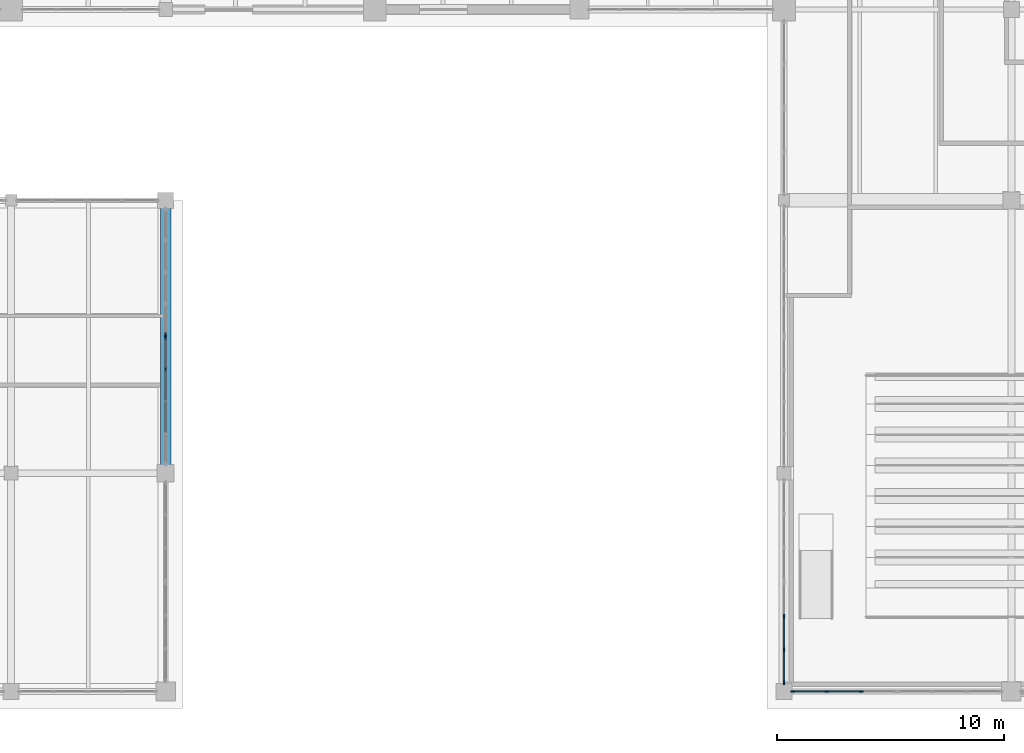
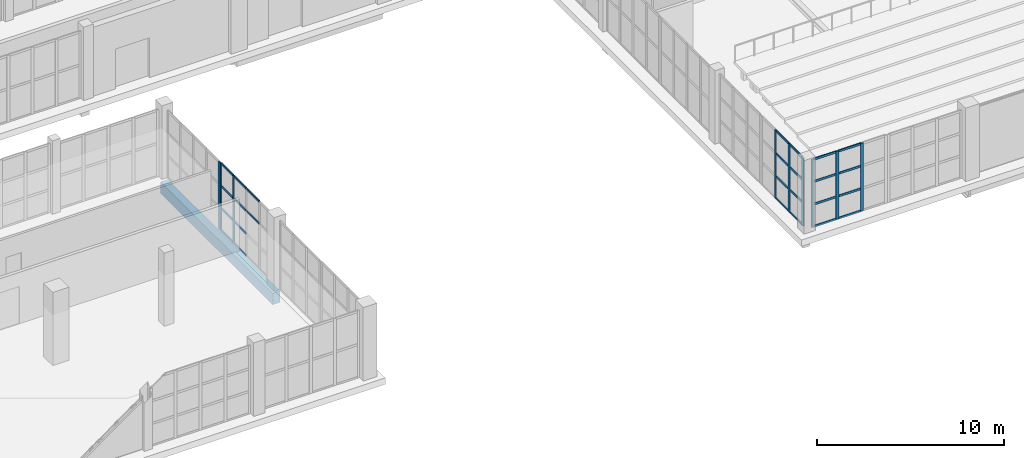
# One storey, part 47 of 121: 35 members, 1 beam, 4 elements without a shape of their own.
"""IFC4 building model written with IfcOpenShell, lengths in metres."""

from ifc_helpers import new_model, si_unit, direction, frame, origin, origin_2d, place, context, subcontext, project, spatial, rectangle, extrude, material, layer, layer_set, material_profile, profile_set, type_object, element, aggregate, save


model = new_model("IFC4")

# Units and contexts
model_context = context("Model", 3, precision=1e-05, world=origin(), true_north=direction((0.0, 1.0)))
body_context = subcontext(model_context, "Body", "Model", "MODEL_VIEW")
ifc_project = project(units=[si_unit("LENGTHUNIT", "METRE"), si_unit("AREAUNIT", "SQUARE_METRE"), si_unit("VOLUMEUNIT", "CUBIC_METRE"), si_unit("PLANEANGLEUNIT", "RADIAN"), si_unit("MASSUNIT", "GRAM", prefix="KILO")], contexts=[model_context])

# Site, building, storey
site_placement = place(None, origin())
site = spatial("IfcSite", under=ifc_project, at=site_placement, CompositionType="ELEMENT")
building_placement = place(site_placement, origin())
building = spatial("IfcBuilding", under=site, at=building_placement, Name="Zereglee Splitstone Museum", CompositionType="ELEMENT")
storey_placement = place(building_placement, origin())
storey = spatial("IfcBuildingStorey", under=building, at=storey_placement, Name="L00", CompositionType="ELEMENT", Elevation=0.0)

# Curtain wall, members
ifc_material_1 = material(Name="Triple-glazed low-E argon glass and bronze-anodised aluminium", Category="aluminium")
ifc_layer_1 = layer(ifc_material_1, 0.179931640625)
ifc_layer_set_1 = layer_set([ifc_layer_1], Name="Triple-glazed low-E argon glass and bronze-anodised aluminium")
curtain_wall_type_1 = type_object("IfcCurtainWallType", Name="CW-0559-444", PredefinedType="USERDEFINED", material=ifc_layer_set_1)
curtain_wall_1_placement = place(storey_placement, origin())
curtain_wall_1 = element("IfcCurtainWall", 1, at=curtain_wall_1_placement, inside=storey, type_object=curtain_wall_type_1, Name="Glazed Curtain Wall CW-0559-444 (L00)", ObjectType="GLAZED CURTAIN WALL", PredefinedType="USERDEFINED")
ifc_material_2 = material(Name="Thermally broken bronze-anodised aluminium", Category="aluminium")
ifc_material_profile_1 = material_profile(ifc_material_2, rectangle(XDim=0.06494140625, YDim=0.179931640625, at=origin_2d()), Name="CW MULL 65x180")
ifc_profile_set_1 = profile_set([ifc_material_profile_1], Name="Thermally broken bronze-anodised aluminium")
member_type_1 = type_object("IfcMemberType", Name="CWM-01", PredefinedType="MULLION", material=ifc_profile_set_1)
member_1_placement = place(storey_placement, frame((228.800048828125, 14.175048828125, 0.0), z_axis=(0.0, 0.0, 1.0), x_axis=(-1.0, 0.0, 0.0)))
member_1 = element("IfcMember", 2, at=member_1_placement, type_object=member_type_1, Name="CW-0559-444 mullion 4", PredefinedType="MULLION", context=body_context, shape_type="SweptSolid", body=[
    extrude(rectangle(XDim=0.06494140625, YDim=0.179931640625, at=origin_2d()), origin(), (0.0, 0.0, 1.0), 4.43994140625),
])
member_2_placement = place(storey_placement, frame((228.800048828125, 15.5400390625, 0.0), z_axis=(0.0, 0.0, 1.0), x_axis=(-1.0, 0.0, 0.0)))
member_2 = element("IfcMember", 3, at=member_2_placement, type_object=member_type_1, Name="CW-0559-444 mullion 5", PredefinedType="MULLION", context=body_context, shape_type="SweptSolid", body=[
    extrude(rectangle(XDim=0.06494140625, YDim=0.179931640625, at=origin_2d()), origin(), (0.0, 0.0, 1.0), 4.43994140625),
])

# Curtain wall, member
ifc_layer_2 = layer(ifc_material_1, 0.179931640625)
ifc_layer_set_2 = layer_set([ifc_layer_2], Name="Triple-glazed low-E argon glass and bronze-anodised aluminium")
curtain_wall_type_2 = type_object("IfcCurtainWallType", Name="CW-0559-442", PredefinedType="USERDEFINED", material=ifc_layer_set_2)
curtain_wall_2_placement = place(storey_placement, origin())
curtain_wall_2 = element("IfcCurtainWall", 4, at=curtain_wall_2_placement, inside=storey, type_object=curtain_wall_type_2, Name="Glazed Curtain Wall CW-0559-442 (L00)", ObjectType="GLAZED CURTAIN WALL", PredefinedType="USERDEFINED")
member_3_placement = place(storey_placement, frame((228.800048828125, 15.68505859375, 0.0), z_axis=(0.0, 0.0, 1.0), x_axis=(-1.0, 0.0, 0.0)))
member_3 = element("IfcMember", 5, at=member_3_placement, type_object=member_type_1, Name="CW-0559-442 mullion 1", PredefinedType="MULLION", context=body_context, shape_type="SweptSolid", body=[
    extrude(rectangle(XDim=0.06494140625, YDim=0.179931640625, at=origin_2d()), origin(), (0.0, 0.0, 1.0), 4.419921875),
])
aggregate(curtain_wall_2, [member_3])

# Curtain wall, members
ifc_layer_3 = layer(ifc_material_1, 0.179931640625)
ifc_layer_set_3 = layer_set([ifc_layer_3], Name="Triple-glazed low-E argon glass and bronze-anodised aluminium")
curtain_wall_type_3 = type_object("IfcCurtainWallType", Name="CW-0443-448", PredefinedType="USERDEFINED", material=ifc_layer_set_3)
curtain_wall_3_placement = place(storey_placement, origin())
curtain_wall_3 = element("IfcCurtainWall", 6, at=curtain_wall_3_placement, inside=storey, type_object=curtain_wall_type_3, Name="Glazed Curtain Wall CW-0443-448 (L00)", ObjectType="GLAZED CURTAIN WALL", PredefinedType="USERDEFINED")
member_4_placement = place(storey_placement, frame((256.0, 3.309326171875, 0.0), z_axis=(0.0, 0.0, 1.0), x_axis=(1.0, 0.0, 0.0)))
member_4 = element("IfcMember", 7, at=member_4_placement, type_object=member_type_1, Name="CW-0443-448 mullion 2", PredefinedType="MULLION", context=body_context, shape_type="SweptSolid", body=[
    extrude(rectangle(XDim=0.06494140625, YDim=0.179931640625, at=origin_2d()), origin(), (0.0, 0.0, 1.0), 4.47998046875),
])
member_5_placement = place(storey_placement, frame((256.0, 1.833740234375, 0.0), z_axis=(0.0, 0.0, 1.0), x_axis=(1.0, 0.0, 0.0)))
member_5 = element("IfcMember", 8, at=member_5_placement, type_object=member_type_1, Name="CW-0443-448 mullion 3", PredefinedType="MULLION", context=body_context, shape_type="SweptSolid", body=[
    extrude(rectangle(XDim=0.06494140625, YDim=0.179931640625, at=origin_2d()), origin(), (0.0, 0.0, 1.0), 4.47998046875),
])
member_6_placement = place(storey_placement, frame((256.0, 0.390380859375, 0.0), z_axis=(0.0, 0.0, 1.0), x_axis=(1.0, 0.0, 0.0)))
member_6 = element("IfcMember", 9, at=member_6_placement, type_object=member_type_1, Name="CW-0443-448 mullion 4", PredefinedType="MULLION", context=body_context, shape_type="SweptSolid", body=[
    extrude(rectangle(XDim=0.06494140625, YDim=0.179931640625, at=origin_2d()), origin(), (0.0, 0.0, 1.0), 4.47998046875),
])

ifc_layer_4 = layer(ifc_material_1, 0.179931640625)
ifc_layer_set_4 = layer_set([ifc_layer_4], Name="Triple-glazed low-E argon glass and bronze-anodised aluminium")
curtain_wall_type_4 = type_object("IfcCurtainWallType", Name="CW-0456-444", PredefinedType="USERDEFINED", material=ifc_layer_set_4)
curtain_wall_4_placement = place(storey_placement, origin())
curtain_wall_4 = element("IfcCurtainWall", 10, at=curtain_wall_4_placement, inside=storey, type_object=curtain_wall_type_4, Name="Glazed Curtain Wall CW-0456-444 (L00)", ObjectType="GLAZED CURTAIN WALL", PredefinedType="USERDEFINED")
member_7_placement = place(storey_placement, frame((256.390380859375, 0.0, 0.0), z_axis=(0.0, 0.0, 1.0), x_axis=(0.0, 1.0, 0.0)))
member_7 = element("IfcMember", 11, at=member_7_placement, type_object=member_type_1, Name="CW-0456-444 mullion 1", PredefinedType="MULLION", context=body_context, shape_type="SweptSolid", body=[
    extrude(rectangle(XDim=0.06494140625, YDim=0.179931640625, at=origin_2d()), origin(), (0.0, 0.0, 1.0), 4.43994140625),
])
member_8_placement = place(storey_placement, frame((257.87939453125, 0.0, 0.0), z_axis=(0.0, 0.0, 1.0), x_axis=(0.0, 1.0, 0.0)))
member_8 = element("IfcMember", 12, at=member_8_placement, type_object=member_type_1, Name="CW-0456-444 mullion 2", PredefinedType="MULLION", context=body_context, shape_type="SweptSolid", body=[
    extrude(rectangle(XDim=0.06494140625, YDim=0.179931640625, at=origin_2d()), origin(), (0.0, 0.0, 1.0), 4.43994140625),
])
member_9_placement = place(storey_placement, frame((259.40087890625, 0.0, 0.0), z_axis=(0.0, 0.0, 1.0), x_axis=(0.0, 1.0, 0.0)))
member_9 = element("IfcMember", 13, at=member_9_placement, type_object=member_type_1, Name="CW-0456-444 mullion 3", PredefinedType="MULLION", context=body_context, shape_type="SweptSolid", body=[
    extrude(rectangle(XDim=0.06494140625, YDim=0.179931640625, at=origin_2d()), origin(), (0.0, 0.0, 1.0), 4.43994140625),
])

# Member
ifc_material_profile_2 = material_profile(ifc_material_2, rectangle(XDim=0.06494140625, YDim=0.139892578125, at=origin_2d()), Name="CW TRAN 65x140")
ifc_profile_set_2 = profile_set([ifc_material_profile_2], Name="Thermally broken bronze-anodised aluminium")
member_type_2 = type_object("IfcMemberType", Name="CWT-01", PredefinedType="USERDEFINED", material=ifc_profile_set_2)
member_10_placement = place(storey_placement, frame((228.800048828125, 11.412841796875, 2.9599609375), z_axis=(0.0, 1.0, 0.0), x_axis=(-1.0, 0.0, 0.0)))
member_10 = element("IfcMember", 14, at=member_10_placement, type_object=member_type_2, Name="CW-0559-444 transom 2.3", ObjectType="TRANSOM", PredefinedType="USERDEFINED", context=body_context, shape_type="SweptSolid", body=[
    extrude(rectangle(XDim=0.06494140625, YDim=0.139892578125, at=origin_2d()), origin(), (0.0, 0.0, 1.0), 1.33251953125),
])

member_11_placement = place(storey_placement, frame((228.800048828125, 11.412841796875, 4.407470703125), z_axis=(0.0, 1.0, 0.0), x_axis=(-1.0, 0.0, 0.0)))
member_11 = element("IfcMember", 15, at=member_11_placement, type_object=member_type_2, Name="CW-0559-444 transom 2.4", ObjectType="TRANSOM", PredefinedType="USERDEFINED", context=body_context, shape_type="SweptSolid", body=[
    extrude(rectangle(XDim=0.06494140625, YDim=0.139892578125, at=origin_2d()), origin(), (0.0, 0.0, 1.0), 1.33251953125),
])

member_12_placement = place(storey_placement, frame((228.800048828125, 12.810302734375, 0.032470703125), z_axis=(0.0, 1.0, 0.0), x_axis=(-1.0, 0.0, 0.0)))
member_12 = element("IfcMember", 16, at=member_12_placement, type_object=member_type_2, Name="CW-0559-444 transom 3.1", ObjectType="TRANSOM", PredefinedType="USERDEFINED", context=body_context, shape_type="SweptSolid", body=[
    extrude(rectangle(XDim=0.06494140625, YDim=0.139892578125, at=origin_2d()), origin(), (0.0, 0.0, 1.0), 1.332275390625),
])

member_13_placement = place(storey_placement, frame((228.800048828125, 12.810302734375, 1.47998046875), z_axis=(0.0, 1.0, 0.0), x_axis=(-1.0, 0.0, 0.0)))
member_13 = element("IfcMember", 17, at=member_13_placement, type_object=member_type_2, Name="CW-0559-444 transom 3.2", ObjectType="TRANSOM", PredefinedType="USERDEFINED", context=body_context, shape_type="SweptSolid", body=[
    extrude(rectangle(XDim=0.06494140625, YDim=0.139892578125, at=origin_2d()), origin(), (0.0, 0.0, 1.0), 1.332275390625),
])

member_14_placement = place(storey_placement, frame((228.800048828125, 12.810302734375, 2.9599609375), z_axis=(0.0, 1.0, 0.0), x_axis=(-1.0, 0.0, 0.0)))
member_14 = element("IfcMember", 18, at=member_14_placement, type_object=member_type_2, Name="CW-0559-444 transom 3.3", ObjectType="TRANSOM", PredefinedType="USERDEFINED", context=body_context, shape_type="SweptSolid", body=[
    extrude(rectangle(XDim=0.06494140625, YDim=0.139892578125, at=origin_2d()), origin(), (0.0, 0.0, 1.0), 1.332275390625),
])

member_15_placement = place(storey_placement, frame((228.800048828125, 12.810302734375, 4.407470703125), z_axis=(0.0, 1.0, 0.0), x_axis=(-1.0, 0.0, 0.0)))
member_15 = element("IfcMember", 19, at=member_15_placement, type_object=member_type_2, Name="CW-0559-444 transom 3.4", ObjectType="TRANSOM", PredefinedType="USERDEFINED", context=body_context, shape_type="SweptSolid", body=[
    extrude(rectangle(XDim=0.06494140625, YDim=0.139892578125, at=origin_2d()), origin(), (0.0, 0.0, 1.0), 1.332275390625),
])

member_16_placement = place(storey_placement, frame((228.800048828125, 14.20751953125, 0.032470703125), z_axis=(0.0, 1.0, 0.0), x_axis=(-1.0, 0.0, 0.0)))
member_16 = element("IfcMember", 20, at=member_16_placement, type_object=member_type_2, Name="CW-0559-444 transom 4.1", ObjectType="TRANSOM", PredefinedType="USERDEFINED", context=body_context, shape_type="SweptSolid", body=[
    extrude(rectangle(XDim=0.06494140625, YDim=0.139892578125, at=origin_2d()), origin(), (0.0, 0.0, 1.0), 1.300048828125),
])

member_17_placement = place(storey_placement, frame((228.800048828125, 14.20751953125, 1.47998046875), z_axis=(0.0, 1.0, 0.0), x_axis=(-1.0, 0.0, 0.0)))
member_17 = element("IfcMember", 21, at=member_17_placement, type_object=member_type_2, Name="CW-0559-444 transom 4.2", ObjectType="TRANSOM", PredefinedType="USERDEFINED", context=body_context, shape_type="SweptSolid", body=[
    extrude(rectangle(XDim=0.06494140625, YDim=0.139892578125, at=origin_2d()), origin(), (0.0, 0.0, 1.0), 1.300048828125),
])

member_18_placement = place(storey_placement, frame((228.800048828125, 14.20751953125, 2.9599609375), z_axis=(0.0, 1.0, 0.0), x_axis=(-1.0, 0.0, 0.0)))
member_18 = element("IfcMember", 22, at=member_18_placement, type_object=member_type_2, Name="CW-0559-444 transom 4.3", ObjectType="TRANSOM", PredefinedType="USERDEFINED", context=body_context, shape_type="SweptSolid", body=[
    extrude(rectangle(XDim=0.06494140625, YDim=0.139892578125, at=origin_2d()), origin(), (0.0, 0.0, 1.0), 1.300048828125),
])

member_19_placement = place(storey_placement, frame((228.800048828125, 14.20751953125, 4.407470703125), z_axis=(0.0, 1.0, 0.0), x_axis=(-1.0, 0.0, 0.0)))
member_19 = element("IfcMember", 23, at=member_19_placement, type_object=member_type_2, Name="CW-0559-444 transom 4.4", ObjectType="TRANSOM", PredefinedType="USERDEFINED", context=body_context, shape_type="SweptSolid", body=[
    extrude(rectangle(XDim=0.06494140625, YDim=0.139892578125, at=origin_2d()), origin(), (0.0, 0.0, 1.0), 1.300048828125),
])

aggregate(curtain_wall_1, [member_1, member_2, member_10, member_11, member_12, member_13, member_14, member_15, member_16, member_17, member_18, member_19])

member_20_placement = place(storey_placement, frame((256.0, 3.27685546875, 0.032470703125), z_axis=(0.0, -1.0, 0.0), x_axis=(1.0, 0.0, 0.0)))
member_20 = element("IfcMember", 24, at=member_20_placement, type_object=member_type_2, Name="CW-0443-448 transom 2.1", ObjectType="TRANSOM", PredefinedType="USERDEFINED", context=body_context, shape_type="SweptSolid", body=[
    extrude(rectangle(XDim=0.06494140625, YDim=0.139892578125, at=origin_2d()), origin(), (0.0, 0.0, 1.0), 1.41064453125),
])

member_21_placement = place(storey_placement, frame((256.0, 3.27685546875, 1.493408203125), z_axis=(0.0, -1.0, 0.0), x_axis=(1.0, 0.0, 0.0)))
member_21 = element("IfcMember", 25, at=member_21_placement, type_object=member_type_2, Name="CW-0443-448 transom 2.2", ObjectType="TRANSOM", PredefinedType="USERDEFINED", context=body_context, shape_type="SweptSolid", body=[
    extrude(rectangle(XDim=0.06494140625, YDim=0.139892578125, at=origin_2d()), origin(), (0.0, 0.0, 1.0), 1.41064453125),
])

member_22_placement = place(storey_placement, frame((256.0, 3.27685546875, 2.98681640625), z_axis=(0.0, -1.0, 0.0), x_axis=(1.0, 0.0, 0.0)))
member_22 = element("IfcMember", 26, at=member_22_placement, type_object=member_type_2, Name="CW-0443-448 transom 2.3", ObjectType="TRANSOM", PredefinedType="USERDEFINED", context=body_context, shape_type="SweptSolid", body=[
    extrude(rectangle(XDim=0.06494140625, YDim=0.139892578125, at=origin_2d()), origin(), (0.0, 0.0, 1.0), 1.41064453125),
])

member_23_placement = place(storey_placement, frame((256.0, 3.27685546875, 4.447509765625), z_axis=(0.0, -1.0, 0.0), x_axis=(1.0, 0.0, 0.0)))
member_23 = element("IfcMember", 27, at=member_23_placement, type_object=member_type_2, Name="CW-0443-448 transom 2.4", ObjectType="TRANSOM", PredefinedType="USERDEFINED", context=body_context, shape_type="SweptSolid", body=[
    extrude(rectangle(XDim=0.06494140625, YDim=0.139892578125, at=origin_2d()), origin(), (0.0, 0.0, 1.0), 1.41064453125),
])

member_24_placement = place(storey_placement, frame((256.0, 1.80126953125, 0.032470703125), z_axis=(0.0, -1.0, 0.0), x_axis=(1.0, 0.0, 0.0)))
member_24 = element("IfcMember", 28, at=member_24_placement, type_object=member_type_2, Name="CW-0443-448 transom 3.1", ObjectType="TRANSOM", PredefinedType="USERDEFINED", context=body_context, shape_type="SweptSolid", body=[
    extrude(rectangle(XDim=0.06494140625, YDim=0.139892578125, at=origin_2d()), origin(), (0.0, 0.0, 1.0), 1.378173828125),
])

member_25_placement = place(storey_placement, frame((256.0, 1.80126953125, 1.493408203125), z_axis=(0.0, -1.0, 0.0), x_axis=(1.0, 0.0, 0.0)))
member_25 = element("IfcMember", 29, at=member_25_placement, type_object=member_type_2, Name="CW-0443-448 transom 3.2", ObjectType="TRANSOM", PredefinedType="USERDEFINED", context=body_context, shape_type="SweptSolid", body=[
    extrude(rectangle(XDim=0.06494140625, YDim=0.139892578125, at=origin_2d()), origin(), (0.0, 0.0, 1.0), 1.378173828125),
])

member_26_placement = place(storey_placement, frame((256.0, 1.80126953125, 2.98681640625), z_axis=(0.0, -1.0, 0.0), x_axis=(1.0, 0.0, 0.0)))
member_26 = element("IfcMember", 30, at=member_26_placement, type_object=member_type_2, Name="CW-0443-448 transom 3.3", ObjectType="TRANSOM", PredefinedType="USERDEFINED", context=body_context, shape_type="SweptSolid", body=[
    extrude(rectangle(XDim=0.06494140625, YDim=0.139892578125, at=origin_2d()), origin(), (0.0, 0.0, 1.0), 1.378173828125),
])

member_27_placement = place(storey_placement, frame((256.0, 1.80126953125, 4.447509765625), z_axis=(0.0, -1.0, 0.0), x_axis=(1.0, 0.0, 0.0)))
member_27 = element("IfcMember", 31, at=member_27_placement, type_object=member_type_2, Name="CW-0443-448 transom 3.4", ObjectType="TRANSOM", PredefinedType="USERDEFINED", context=body_context, shape_type="SweptSolid", body=[
    extrude(rectangle(XDim=0.06494140625, YDim=0.139892578125, at=origin_2d()), origin(), (0.0, 0.0, 1.0), 1.378173828125),
])

aggregate(curtain_wall_3, [member_4, member_5, member_6, member_20, member_21, member_22, member_23, member_24, member_25, member_26, member_27])

member_28_placement = place(storey_placement, frame((256.423095703125, 0.0, 0.032470703125), z_axis=(1.0, 0.0, 0.0), x_axis=(0.0, 1.0, 0.0)))
member_28 = element("IfcMember", 32, at=member_28_placement, type_object=member_type_2, Name="CW-0456-444 transom 1.1", ObjectType="TRANSOM", PredefinedType="USERDEFINED", context=body_context, shape_type="SweptSolid", body=[
    extrude(rectangle(XDim=0.06494140625, YDim=0.139892578125, at=origin_2d()), origin(), (0.0, 0.0, 1.0), 1.423828125),
])

member_29_placement = place(storey_placement, frame((256.423095703125, 0.0, 1.47998046875), z_axis=(1.0, 0.0, 0.0), x_axis=(0.0, 1.0, 0.0)))
member_29 = element("IfcMember", 33, at=member_29_placement, type_object=member_type_2, Name="CW-0456-444 transom 1.2", ObjectType="TRANSOM", PredefinedType="USERDEFINED", context=body_context, shape_type="SweptSolid", body=[
    extrude(rectangle(XDim=0.06494140625, YDim=0.139892578125, at=origin_2d()), origin(), (0.0, 0.0, 1.0), 1.423828125),
])

member_30_placement = place(storey_placement, frame((256.423095703125, 0.0, 2.9599609375), z_axis=(1.0, 0.0, 0.0), x_axis=(0.0, 1.0, 0.0)))
member_30 = element("IfcMember", 34, at=member_30_placement, type_object=member_type_2, Name="CW-0456-444 transom 1.3", ObjectType="TRANSOM", PredefinedType="USERDEFINED", context=body_context, shape_type="SweptSolid", body=[
    extrude(rectangle(XDim=0.06494140625, YDim=0.139892578125, at=origin_2d()), origin(), (0.0, 0.0, 1.0), 1.423828125),
])

member_31_placement = place(storey_placement, frame((256.423095703125, 0.0, 4.407470703125), z_axis=(1.0, 0.0, 0.0), x_axis=(0.0, 1.0, 0.0)))
member_31 = element("IfcMember", 35, at=member_31_placement, type_object=member_type_2, Name="CW-0456-444 transom 1.4", ObjectType="TRANSOM", PredefinedType="USERDEFINED", context=body_context, shape_type="SweptSolid", body=[
    extrude(rectangle(XDim=0.06494140625, YDim=0.139892578125, at=origin_2d()), origin(), (0.0, 0.0, 1.0), 1.423828125),
])

member_32_placement = place(storey_placement, frame((257.912109375, 0.0, 0.032470703125), z_axis=(1.0, 0.0, 0.0), x_axis=(0.0, 1.0, 0.0)))
member_32 = element("IfcMember", 36, at=member_32_placement, type_object=member_type_2, Name="CW-0456-444 transom 2.1", ObjectType="TRANSOM", PredefinedType="USERDEFINED", context=body_context, shape_type="SweptSolid", body=[
    extrude(rectangle(XDim=0.06494140625, YDim=0.139892578125, at=origin_2d()), origin(), (0.0, 0.0, 1.0), 1.456298828125),
])

member_33_placement = place(storey_placement, frame((257.912109375, 0.0, 1.47998046875), z_axis=(1.0, 0.0, 0.0), x_axis=(0.0, 1.0, 0.0)))
member_33 = element("IfcMember", 37, at=member_33_placement, type_object=member_type_2, Name="CW-0456-444 transom 2.2", ObjectType="TRANSOM", PredefinedType="USERDEFINED", context=body_context, shape_type="SweptSolid", body=[
    extrude(rectangle(XDim=0.06494140625, YDim=0.139892578125, at=origin_2d()), origin(), (0.0, 0.0, 1.0), 1.456298828125),
])

member_34_placement = place(storey_placement, frame((257.912109375, 0.0, 2.9599609375), z_axis=(1.0, 0.0, 0.0), x_axis=(0.0, 1.0, 0.0)))
member_34 = element("IfcMember", 38, at=member_34_placement, type_object=member_type_2, Name="CW-0456-444 transom 2.3", ObjectType="TRANSOM", PredefinedType="USERDEFINED", context=body_context, shape_type="SweptSolid", body=[
    extrude(rectangle(XDim=0.06494140625, YDim=0.139892578125, at=origin_2d()), origin(), (0.0, 0.0, 1.0), 1.456298828125),
])

member_35_placement = place(storey_placement, frame((257.912109375, 0.0, 4.407470703125), z_axis=(1.0, 0.0, 0.0), x_axis=(0.0, 1.0, 0.0)))
member_35 = element("IfcMember", 39, at=member_35_placement, type_object=member_type_2, Name="CW-0456-444 transom 2.4", ObjectType="TRANSOM", PredefinedType="USERDEFINED", context=body_context, shape_type="SweptSolid", body=[
    extrude(rectangle(XDim=0.06494140625, YDim=0.139892578125, at=origin_2d()), origin(), (0.0, 0.0, 1.0), 1.456298828125),
])

aggregate(curtain_wall_4, [member_7, member_8, member_9, member_28, member_29, member_30, member_31, member_32, member_33, member_34, member_35])

# Beam
ifc_material_3 = material(Name="Concrete C40/50", Category="concrete")
ifc_material_profile_3 = material_profile(ifc_material_3, rectangle(XDim=0.449951171875, YDim=0.75, at=origin_2d()), Name="RC 450x750")
ifc_profile_set_3 = profile_set([ifc_material_profile_3], Name="Concrete C40/50")
beam_type = type_object("IfcBeamType", Name="SP-01", PredefinedType="SPANDREL", material=ifc_profile_set_3)
beam_placement = place(storey_placement, frame((228.800048828125, 9.60009765625, -0.794921875), z_axis=(0.0, 1.0, 0.0), x_axis=(-1.0, 0.0, 0.0)))
element("IfcBeam", 40, at=beam_placement, inside=storey, type_object=beam_type, Name="Primary Girder L00 26 (9.6-21.6)", PredefinedType="SPANDREL", context=body_context, shape_type="SweptSolid", body=[
    extrude(rectangle(XDim=0.449951171875, YDim=0.75, at=origin_2d()), origin(), (0.0, 0.0, 1.0), 12.0),
])

save(model, "model.ifc")
